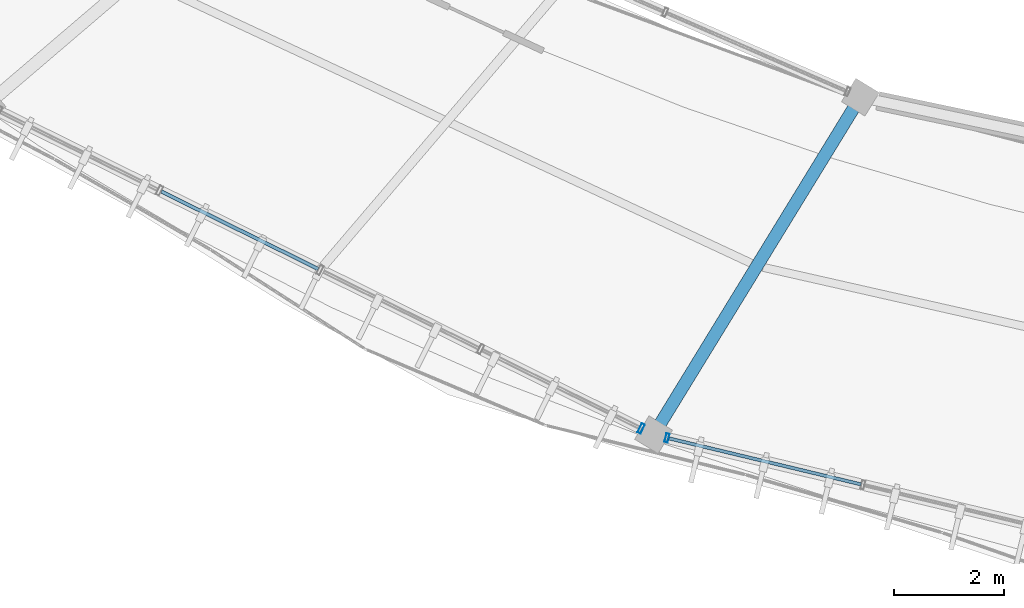
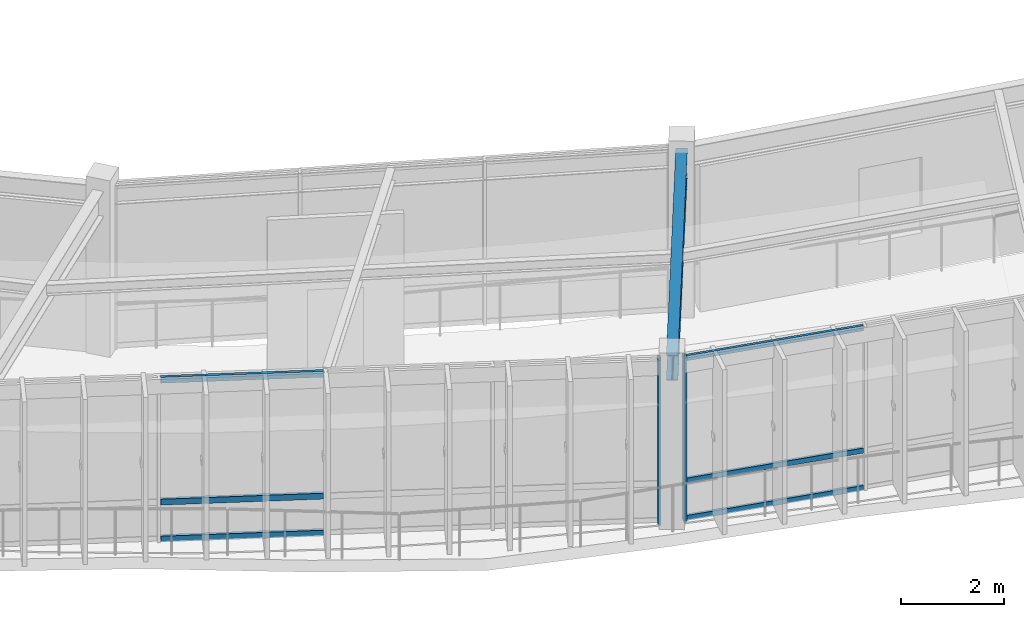
# One storey, part 5 of 78: 8 members, 1 beam, 2 elements without a shape of their own.
"""IFC4 building model written with IfcOpenShell, lengths in metres."""

from ifc_helpers import new_model, si_unit, direction, frame, origin, origin_2d, place, context, subcontext, project, spatial, hollow_rectangle, i_section, extrude, material, material_profile, profile_set, type_object, element, aggregate, save


model = new_model("IFC4")

# Units and contexts
model_context = context("Model", 3, precision=1e-05, world=origin(), true_north=direction((0.0, 1.0)))
body_context = subcontext(model_context, "Body", "Model", "MODEL_VIEW")
ifc_project = project(units=[si_unit("LENGTHUNIT", "METRE"), si_unit("AREAUNIT", "SQUARE_METRE"), si_unit("VOLUMEUNIT", "CUBIC_METRE"), si_unit("PLANEANGLEUNIT", "RADIAN"), si_unit("MASSUNIT", "GRAM", prefix="KILO"), si_unit("THERMODYNAMICTEMPERATUREUNIT", "KELVIN"), si_unit("POWERUNIT", "WATT")], contexts=[model_context])

# Site, building, storey
site_placement = place(None, origin())
site = spatial("IfcSite", under=ifc_project, at=site_placement, CompositionType="ELEMENT")
building_placement = place(site_placement, origin())
building = spatial("IfcBuilding", under=site, at=building_placement, Name="Darbajah Civic Hall", CompositionType="ELEMENT")
storey_placement = place(building_placement, frame((0.0, 0.0, 26.39990234375)))
storey = spatial("IfcBuildingStorey", under=building, at=storey_placement, Name="L06", CompositionType="ELEMENT", Elevation=26.39990234375)

# Curtain wall, member
ifc_material_1 = material(Name="Anodised Bronze Aluminium and Low-E Glazing", Category="aluminium")
curtain_wall_type_1 = type_object("IfcCurtainWallType", Name="Unitised Curtain Wall CW-90 14700x3900", PredefinedType="USERDEFINED", material=ifc_material_1)
curtain_wall_1_placement = place(storey_placement, origin())
curtain_wall_1 = element("IfcCurtainWall", 1, at=curtain_wall_1_placement, inside=storey, type_object=curtain_wall_type_1, Name="L06 unitised curtain wall CW-V1O-L06-13", ObjectType="UNITISED CURTAIN WALL", PredefinedType="USERDEFINED")
ifc_material_2 = material(Name="Anodised Bronze Aluminium", Category="aluminium")
ifc_material_profile_1 = material_profile(ifc_material_2, hollow_rectangle(XDim=0.06005859375, YDim=0.159912109375, WallThickness=0.00341796875, at=origin_2d()), Name="ALU MULLION 60x160")
ifc_profile_set_1 = profile_set([ifc_material_profile_1], Name="Anodised Bronze Aluminium")
member_type_1 = type_object("IfcMemberType", Name="ALU MULLION 60x160", PredefinedType="MULLION", material=ifc_profile_set_1)
member_1_placement = place(storey_placement, frame((62.69775390625, 64.58837890625, 0.0), z_axis=(0.0, 0.0, 1.0), x_axis=(0.972492018808, -0.232936200179, 0.0)))
member_1 = element("IfcMember", 2, at=member_1_placement, type_object=member_type_1, Name="CW-V1O-L06-13 mullion 1", PredefinedType="MULLION", context=body_context, shape_type="SweptSolid", body=[
    extrude(hollow_rectangle(XDim=0.06005859375, YDim=0.159912109375, WallThickness=0.00341796875, at=origin_2d()), origin(), (0.0, 0.0, 1.0), 3.920166015625),
])

curtain_wall_type_2 = type_object("IfcCurtainWallType", Name="Unitised Curtain Wall CW-83 13000x3900", PredefinedType="USERDEFINED", material=ifc_material_1)
curtain_wall_2_placement = place(storey_placement, origin())
curtain_wall_2 = element("IfcCurtainWall", 3, at=curtain_wall_2_placement, inside=storey, type_object=curtain_wall_type_2, Name="L06 unitised curtain wall CW-V1O-L06-12", ObjectType="UNITISED CURTAIN WALL", PredefinedType="USERDEFINED")
ifc_material_profile_2 = material_profile(ifc_material_2, hollow_rectangle(XDim=0.06494140625, YDim=0.179931640625, WallThickness=0.00390625, at=origin_2d()), Name="ALU MULLION 65x180")
ifc_profile_set_2 = profile_set([ifc_material_profile_2], Name="Anodised Bronze Aluminium")
member_type_2 = type_object("IfcMemberType", Name="ALU MULLION 65x180", PredefinedType="MULLION", material=ifc_profile_set_2)
member_2_placement = place(storey_placement, frame((62.226806640625, 64.7587890625, 0.0), z_axis=(0.0, 0.0, 1.0), x_axis=(0.89656374724, -0.442914717678, 0.0)))
member_2 = element("IfcMember", 4, at=member_2_placement, type_object=member_type_2, Name="CW-V1O-L06-12 mullion 5", PredefinedType="MULLION", context=body_context, shape_type="SweptSolid", body=[
    extrude(hollow_rectangle(XDim=0.06494140625, YDim=0.179931640625, WallThickness=0.00390625, at=origin_2d()), origin(), (0.0, 0.0, 1.0), 3.920166015625),
])

# Member
ifc_material_profile_3 = material_profile(ifc_material_2, hollow_rectangle(XDim=0.06005859375, YDim=0.1201171875, WallThickness=0.003173828125, at=origin_2d()), Name="ALU TRANSOM 60x120")
ifc_profile_set_3 = profile_set([ifc_material_profile_3], Name="Anodised Bronze Aluminium")
member_type_3 = type_object("IfcMemberType", Name="ALU TRANSOM 60x120", PredefinedType="USERDEFINED", material=ifc_profile_set_3)
member_3_placement = place(storey_placement, frame((62.731689453125, 64.580078125, 0.06005859375), z_axis=(0.972488957838, -0.232948979143, 0.0), x_axis=(0.232948979143, 0.972488957838, 0.0)))
member_3 = element("IfcMember", 5, at=member_3_placement, type_object=member_type_3, Name="CW-V1O-L06-13 transom 1.1", ObjectType="TRANSOM", PredefinedType="USERDEFINED", context=body_context, shape_type="SweptSolid", body=[
    extrude(hollow_rectangle(XDim=0.06005859375, YDim=0.1201171875, WallThickness=0.003173828125, at=origin_2d()), origin(), (0.0, 0.0, 1.0), 3.59375),
])

member_4_placement = place(storey_placement, frame((62.731689453125, 64.580078125, 0.9501953125), z_axis=(0.972488957838, -0.232948979143, 0.0), x_axis=(0.232948979143, 0.972488957838, 0.0)))
member_4 = element("IfcMember", 6, at=member_4_placement, type_object=member_type_3, Name="CW-V1O-L06-13 transom 1.2", ObjectType="TRANSOM", PredefinedType="USERDEFINED", context=body_context, shape_type="SweptSolid", body=[
    extrude(hollow_rectangle(XDim=0.06005859375, YDim=0.1201171875, WallThickness=0.003173828125, at=origin_2d()), origin(), (0.0, 0.0, 1.0), 3.59375),
])

member_5_placement = place(storey_placement, frame((62.731689453125, 64.580078125, 3.860107421875), z_axis=(0.972488957838, -0.232948979143, 0.0), x_axis=(0.232948979143, 0.972488957838, 0.0)))
member_5 = element("IfcMember", 7, at=member_5_placement, type_object=member_type_3, Name="CW-V1O-L06-13 transom 1.3", ObjectType="TRANSOM", PredefinedType="USERDEFINED", context=body_context, shape_type="SweptSolid", body=[
    extrude(hollow_rectangle(XDim=0.06005859375, YDim=0.1201171875, WallThickness=0.003173828125, at=origin_2d()), origin(), (0.0, 0.0, 1.0), 3.59375),
])

aggregate(curtain_wall_1, [member_1, member_3, member_4, member_5])

ifc_material_profile_4 = material_profile(ifc_material_2, hollow_rectangle(XDim=0.06494140625, YDim=0.139892578125, WallThickness=0.00341796875, at=origin_2d()), Name="ALU TRANSOM 65x140")
ifc_profile_set_4 = profile_set([ifc_material_profile_4], Name="Anodised Bronze Aluminium")
member_type_4 = type_object("IfcMemberType", Name="ALU TRANSOM 65x140", PredefinedType="USERDEFINED", material=ifc_profile_set_4)
member_6_placement = place(storey_placement, frame((53.499267578125, 69.0703125, 0.070068359375), z_axis=(0.896565068348, -0.442912043434, 0.0), x_axis=(0.442912043434, 0.896565068348, 0.0)))
member_6 = element("IfcMember", 8, at=member_6_placement, type_object=member_type_4, Name="CW-V1O-L06-12 transom 2.1", ObjectType="TRANSOM", PredefinedType="USERDEFINED", context=body_context, shape_type="SweptSolid", body=[
    extrude(hollow_rectangle(XDim=0.06494140625, YDim=0.139892578125, WallThickness=0.00341796875, at=origin_2d()), origin(), (0.0, 0.0, 1.0), 3.18212890625),
])

member_7_placement = place(storey_placement, frame((53.499267578125, 69.0703125, 0.9501953125), z_axis=(0.896565068348, -0.442912043434, 0.0), x_axis=(0.442912043434, 0.896565068348, 0.0)))
member_7 = element("IfcMember", 9, at=member_7_placement, type_object=member_type_4, Name="CW-V1O-L06-12 transom 2.2", ObjectType="TRANSOM", PredefinedType="USERDEFINED", context=body_context, shape_type="SweptSolid", body=[
    extrude(hollow_rectangle(XDim=0.06494140625, YDim=0.139892578125, WallThickness=0.00341796875, at=origin_2d()), origin(), (0.0, 0.0, 1.0), 3.18212890625),
])

member_8_placement = place(storey_placement, frame((53.499267578125, 69.0703125, 3.85009765625), z_axis=(0.896565068348, -0.442912043434, 0.0), x_axis=(0.442912043434, 0.896565068348, 0.0)))
member_8 = element("IfcMember", 10, at=member_8_placement, type_object=member_type_4, Name="CW-V1O-L06-12 transom 2.3", ObjectType="TRANSOM", PredefinedType="USERDEFINED", context=body_context, shape_type="SweptSolid", body=[
    extrude(hollow_rectangle(XDim=0.06494140625, YDim=0.139892578125, WallThickness=0.00341796875, at=origin_2d()), origin(), (0.0, 0.0, 1.0), 3.18212890625),
])

aggregate(curtain_wall_2, [member_2, member_6, member_7, member_8])

# Beam
ifc_material_3 = material(Name="Steel S355JR", Category="steel")
ifc_material_profile_5 = material_profile(ifc_material_3, i_section(OverallWidth=0.228271484375, OverallDepth=0.607666015625, WebThickness=0.010986328125, FlangeThickness=0.017333984375, FilletRadius=0.0126953125, at=origin_2d()), Name="UB 610x229x113")
ifc_profile_set_5 = profile_set([ifc_material_profile_5], Name="Steel S355JR")
beam_type = type_object("IfcBeamType", Name="UB 610x229x113", PredefinedType="BEAM", material=ifc_profile_set_5)
beam_placement = place(storey_placement, frame((66.1728515625, 70.718017578125, 3.6162109375), z_axis=(-0.522500254411, -0.852639128905, 0.0), x_axis=(0.852639128905, -0.522500254411, 0.0)))
element("IfcBeam", 11, at=beam_placement, inside=storey, type_object=beam_type, Name="L06 beam SB-610", PredefinedType="BEAM", context=body_context, shape_type="SweptSolid", body=[
    extrude(i_section(OverallWidth=0.228271484375, OverallDepth=0.607666015625, WebThickness=0.010986328125, FlangeThickness=0.017333984375, FilletRadius=0.0126953125, at=origin_2d()), origin(), (0.0, 0.0, 1.0), 7.0400390625),
])

save(model, "model.ifc")
